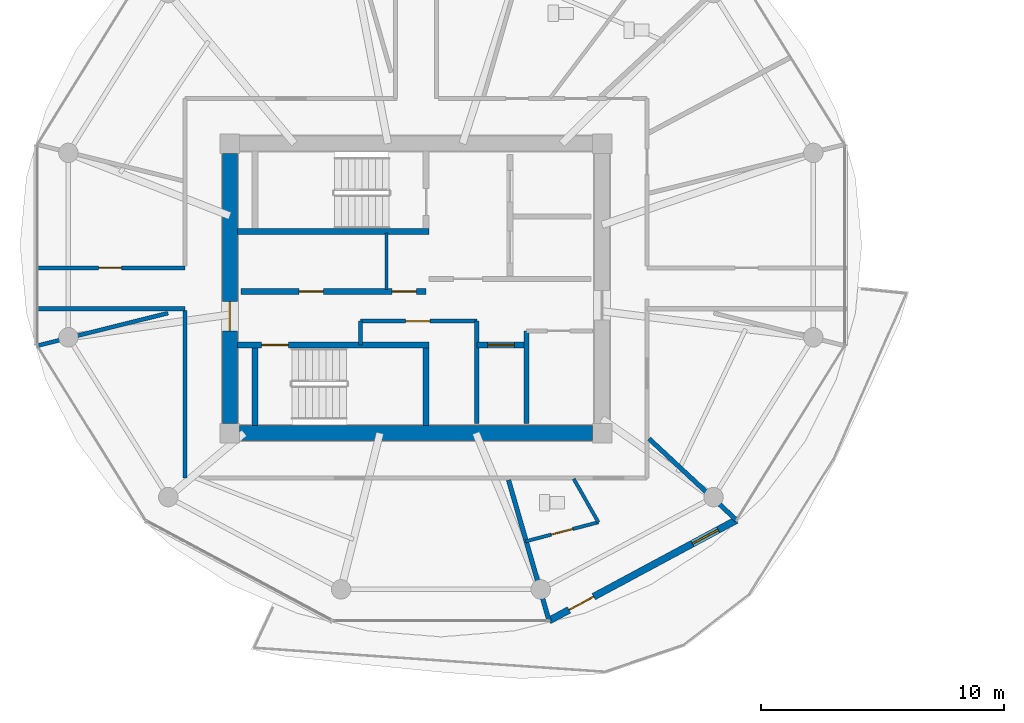
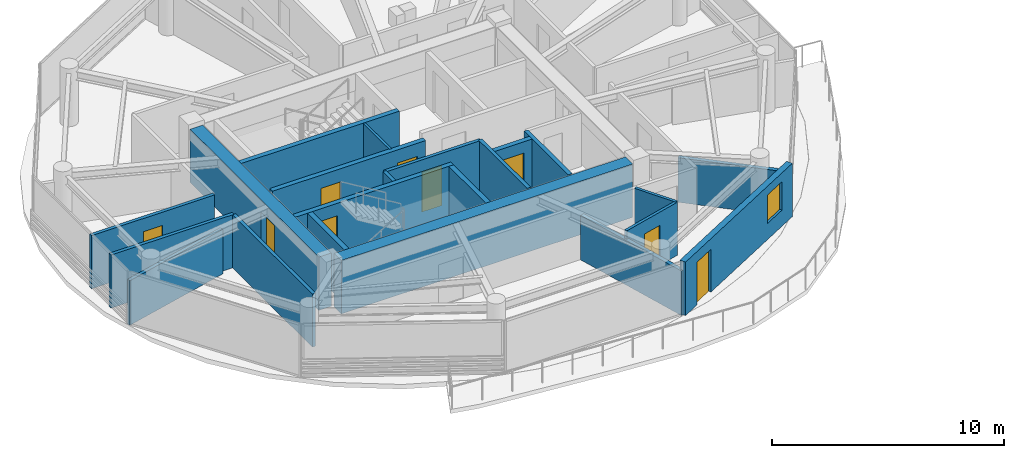
# One storey, part 12 of 23: 22 walls, 9 doors, 1 window, 10 openings.
"""IFC4 building model written with IfcOpenShell, lengths in metres."""

from ifc_helpers import new_model, si_unit, direction, frame, frame_2d, origin, place, context, subcontext, project, spatial, rectangle, extrude, source, transform, mapped, material, layer, layer_set, type_object, type_shapes, element, fill, save


model = new_model("IFC4")

# Units and contexts
model_context = context("Model", 3, precision=1e-05, world=origin(), true_north=direction((0.0, 1.0)))
body_context = subcontext(model_context, "Body", "Model", "MODEL_VIEW")
ifc_project = project(units=[si_unit("LENGTHUNIT", "METRE"), si_unit("AREAUNIT", "SQUARE_METRE"), si_unit("VOLUMEUNIT", "CUBIC_METRE"), si_unit("PLANEANGLEUNIT", "RADIAN"), si_unit("MASSUNIT", "GRAM", prefix="KILO")], contexts=[model_context])

# Site, building, storey
site_placement = place(None, origin())
site = spatial("IfcSite", under=ifc_project, at=site_placement, CompositionType="ELEMENT")
building_placement = place(site_placement, origin())
building = spatial("IfcBuilding", under=site, at=building_placement, Name="Norrkilde Senior Care Towers", CompositionType="ELEMENT")
storey_placement = place(building_placement, frame((0.0, 0.0, 177.0)))
storey = spatial("IfcBuildingStorey", under=building, at=storey_placement, Name="L55", CompositionType="ELEMENT", Elevation=177.0)

# Wall
ifc_material_1 = material(Name="Concrete C50/60", Category="concrete")
ifc_layer_1 = layer(ifc_material_1, 0.6201171875)
ifc_layer_set_1 = layer_set([ifc_layer_1], Name="Concrete C50/60")
wall_type_1 = type_object("IfcWallType", Name="Core Shear Wall Z3 620", PredefinedType="SHEAR", material=ifc_layer_set_1)
shared_shape_1 = source(origin(), body_context, "Body", "SweptSolid", [
    extrude(rectangle(XDim=14.5, YDim=0.6201171875, at=frame_2d((7.25, 0.0))), origin(), (0.0, 0.0, 1.0), 2.81005859375),
])
wall_1_placement = place(storey_placement, frame((-20.75, -5.949951171875, 0.0), z_axis=(0.0, 0.0, 1.0), x_axis=(-1.0, 0.0, 0.0)))
element("IfcWall", 1, at=wall_1_placement, inside=storey, type_object=wall_type_1, Name="L55 Core W South Shear Wall", PredefinedType="SHEAR", context=body_context, shape_type="MappedRepresentation", body=[
    mapped(shared_shape_1, transform((0.0, 0.0, 0.0), x_axis=(1.0, 0.0, 0.0), y_axis=(0.0, 1.0, 0.0), z_axis=(0.0, 0.0, 1.0), scale=1.0)),
])

# Wall, opening, door
shared_shape_2 = source(origin(), body_context, "Body", "SweptSolid", [
    extrude(rectangle(XDim=11.10009765625, YDim=0.6201171875, at=frame_2d((5.550048828125, 0.0))), origin(), (0.0, 0.0, 1.0), 2.81005859375),
])
type_shapes(wall_type_1, [shared_shape_1, shared_shape_2])
wall_2_placement = place(storey_placement, frame((-35.64990234375, -5.550048828125, 0.0), z_axis=(0.0, 0.0, 1.0), x_axis=(0.0, 1.0, 0.0)))
wall_2 = element("IfcWall", 2, at=wall_2_placement, inside=storey, type_object=wall_type_1, Name="L55 Core W West Shear Wall", PredefinedType="SHEAR", context=body_context, shape_type="MappedRepresentation", body=[
    mapped(shared_shape_2, transform((0.0, 0.0, 0.0), x_axis=(1.0, 0.0, 0.0), y_axis=(0.0, 1.0, 0.0), z_axis=(0.0, 0.0, 1.0), scale=1.0)),
])
opening_1_placement = place(wall_2_placement, frame((3.800048828125, 0.0, 0.0)))
opening_1 = element("IfcOpeningElement", 3, at=opening_1_placement, cuts=wall_2, Name="Opening D-04", PredefinedType="OPENING", context=body_context, shape_type="SweptSolid", body=[
    extrude(rectangle(XDim=1.199951171875, YDim=2.14990234375, at=frame_2d((0.60009765625, 1.074951171875))), frame((0.0, 0.320068359375, 0.0), z_axis=(0.0, -1.0, 0.0), x_axis=(1.0, 0.0, 0.0)), (0.0, 0.0, 1.0), 0.64013671875),
])
ifc_material_2 = material(Name="Galvanised Painted Steel", Category="steel")
door_type_1 = type_object("IfcDoorType", Name="Firefighting Lobby Fire Door 1200x2150", OperationType="NOTDEFINED", PredefinedType="DOOR", material=ifc_material_2)
shared_shape_3 = source(origin(), body_context, "Body", "SweptSolid", [
    extrude(rectangle(XDim=1.199951171875, YDim=2.14990234375, at=frame_2d((0.60009765625, 1.074951171875))), frame((0.0, 0.02490234375, 0.0), z_axis=(0.0, -1.0, 0.0), x_axis=(1.0, 0.0, 0.0)), (0.0, 0.0, 1.0), 0.050048828125),
])
type_shapes(door_type_1, [shared_shape_3])
door_1_placement = place(opening_1_placement, frame((1.199951171875, 0.0, 0.0), z_axis=(0.0, 0.0, 1.0), x_axis=(-1.0, 0.0, 0.0)))
door_1 = element("IfcDoor", 4, at=door_1_placement, inside=storey, type_object=door_type_1, Name="L55 Core W West Portal Door", OperationType="SINGLE_SWING_LEFT", OverallHeight=2.14990234375, OverallWidth=1.199951171875, PredefinedType="DOOR", context=body_context, shape_type="MappedRepresentation", body=[
    mapped(shared_shape_3, transform((0.0, 0.0, 0.0), x_axis=(1.0, 0.0, 0.0), y_axis=(0.0, 1.0, 0.0), z_axis=(0.0, 0.0, 1.0), scale=1.0)),
])
fill(opening_1, door_1)

# Wall, openings, door, window
ifc_material_3 = material(Name="Precast concrete C45/55", Category="concrete")
ifc_layer_2 = layer(ifc_material_3, 0.2900390625)
ifc_layer_set_2 = layer_set([ifc_layer_2], Name="Precast concrete C45/55")
wall_type_2 = type_object("IfcWallType", Name="Winter Garden Facade Wall 290", PredefinedType="SOLIDWALL", material=ifc_layer_set_2)
shared_shape_4 = source(origin(), body_context, "Body", "SweptSolid", [
    extrude(rectangle(XDim=8.741943359375, YDim=0.2900390625, at=frame_2d((4.37109375, 0.0))), origin(), (0.0, 0.0, 1.0), 2.81005859375),
])
type_shapes(wall_type_2, [shared_shape_4])
wall_3_placement = place(storey_placement, frame((-14.826904296875, -9.524169921875, 0.0), z_axis=(0.0, 0.0, 1.0), x_axis=(-0.880998740657, -0.473118609823, 0.0)))
wall_3 = element("IfcWall", 5, at=wall_3_placement, inside=storey, type_object=wall_type_2, Name="L55 Drum W Balcony Access Wall 09", PredefinedType="SOLIDWALL", context=body_context, shape_type="MappedRepresentation", body=[
    mapped(shared_shape_4, transform((0.0, 0.0, 0.0), x_axis=(1.0, 0.0, 0.0), y_axis=(0.0, 1.0, 0.0), z_axis=(0.0, 0.0, 1.0), scale=1.0)),
])
opening_2_placement = place(wall_3_placement, frame((6.659912109375, 0.0, 0.0)))
opening_2 = element("IfcOpeningElement", 6, at=opening_2_placement, cuts=wall_3, Name="Opening D-09", PredefinedType="OPENING", context=body_context, shape_type="SweptSolid", body=[
    extrude(rectangle(XDim=1.14990234375, YDim=2.25, at=frame_2d((0.574951171875, 1.125))), frame((0.0, 0.155029296875, 0.0), z_axis=(0.0, -1.0, 0.0), x_axis=(1.0, 0.0, 0.0)), (0.0, 0.0, 1.0), 0.31005859375),
])
opening_3_placement = place(wall_3_placement, frame((0.85009765625, 0.0, 0.85009765625)))
opening_3 = element("IfcOpeningElement", 7, at=opening_3_placement, cuts=wall_3, Name="Opening WN-07", PredefinedType="OPENING", context=body_context, shape_type="SweptSolid", body=[
    extrude(rectangle(XDim=1.199951171875, YDim=1.5, at=frame_2d((0.60009765625, 0.75))), frame((0.0, 0.155029296875, 0.0), z_axis=(0.0, -1.0, 0.0), x_axis=(1.0, 0.0, 0.0)), (0.0, 0.0, 1.0), 0.31005859375),
])
ifc_material_4 = material(Name="Anodised Aluminium", Category="aluminium")
door_type_2 = type_object("IfcDoorType", Name="Terrace and Balcony Glazed Door 1150x2250", OperationType="NOTDEFINED", PredefinedType="DOOR", material=ifc_material_4)
shared_shape_5 = source(origin(), body_context, "Body", "SweptSolid", [
    extrude(rectangle(XDim=1.14990234375, YDim=2.25, at=frame_2d((0.574951171875, 1.125))), frame((0.0, 0.02490234375, 0.0), z_axis=(0.0, -1.0, 0.0), x_axis=(1.0, 0.0, 0.0)), (0.0, 0.0, 1.0), 0.050048828125),
])
type_shapes(door_type_2, [shared_shape_5])
door_2_placement = place(opening_2_placement, origin())
door_2 = element("IfcDoor", 8, at=door_2_placement, inside=storey, type_object=door_type_2, Name="L55 Drum W Outdoor Terrace Door 09", OperationType="SINGLE_SWING_RIGHT", OverallHeight=2.25, OverallWidth=1.14990234375, PredefinedType="DOOR", context=body_context, shape_type="MappedRepresentation", body=[
    mapped(shared_shape_5, transform((0.0, 0.0, 0.0), x_axis=(1.0, 0.0, 0.0), y_axis=(0.0, 1.0, 0.0), z_axis=(0.0, 0.0, 1.0), scale=1.0)),
])
fill(opening_2, door_2)
ifc_material_5 = material(Name="Triple Low-E Insulated Glazing", Category="glass")
window_type = type_object("IfcWindowType", Name="Stairwell Smoke Vent Window 1200x1500", PartitioningType="SINGLE_PANEL", PredefinedType="WINDOW", material=ifc_material_5)
shared_shape_6 = source(origin(), body_context, "Body", "SweptSolid", [
    extrude(rectangle(XDim=1.199951171875, YDim=1.5, at=frame_2d((0.60009765625, 0.75))), frame((0.0, 0.030029296875, 0.0), z_axis=(0.0, -1.0, 0.0), x_axis=(1.0, 0.0, 0.0)), (0.0, 0.0, 1.0), 0.06005859375),
])
type_shapes(window_type, [shared_shape_6])
window_placement = place(opening_3_placement, origin())
window = element("IfcWindow", 9, at=window_placement, inside=storey, type_object=window_type, Name="L55 Drum W Winter Garden Window 09", OverallHeight=1.5, OverallWidth=1.199951171875, PartitioningType="SINGLE_PANEL", PredefinedType="WINDOW", context=body_context, shape_type="MappedRepresentation", body=[
    mapped(shared_shape_6, transform((0.0, 0.0, 0.0), x_axis=(1.0, 0.0, 0.0), y_axis=(0.0, 1.0, 0.0), z_axis=(0.0, 0.0, 1.0), scale=1.0)),
])
fill(opening_3, window)

# Wall
ifc_material_6 = material(Name="Concrete C45/55", Category="concrete")
ifc_layer_3 = layer(ifc_material_6, 0.239990234375)
ifc_layer_set_3 = layer_set([ifc_layer_3], Name="Concrete C45/55")
wall_type_3 = type_object("IfcWallType", Name="Shaft and Stair Enclosure Wall 240", PredefinedType="PARTITIONING", material=ifc_layer_set_3)
shared_shape_7 = source(origin(), body_context, "Body", "SweptSolid", [
    extrude(rectangle(XDim=7.880126953125, YDim=0.239990234375, at=frame_2d((3.93994140625, 0.0))), origin(), (0.0, 0.0, 1.0), 2.81005859375),
])
wall_4_placement = place(storey_placement, frame((-35.340087890625, 2.330078125, 0.0), z_axis=(0.0, 0.0, 1.0), x_axis=(1.0, 0.0, 0.0)))
element("IfcWall", 10, at=wall_4_placement, inside=storey, type_object=wall_type_3, Name="WL-INT-L55-W-ST1S", PredefinedType="PARTITIONING", context=body_context, shape_type="MappedRepresentation", body=[
    mapped(shared_shape_7, transform((0.0, 0.0, 0.0), x_axis=(1.0, 0.0, 0.0), y_axis=(0.0, 1.0, 0.0), z_axis=(0.0, 0.0, 1.0), scale=1.0)),
])

# Wall, opening, door
wall_5_placement = place(storey_placement, frame((-35.340087890625, -2.330078125, 0.0), z_axis=(0.0, 0.0, 1.0), x_axis=(1.0, 0.0, 0.0)))
wall_5 = element("IfcWall", 11, at=wall_5_placement, inside=storey, type_object=wall_type_3, Name="WL-INT-L55-W-ST2N", PredefinedType="PARTITIONING", context=body_context, shape_type="MappedRepresentation", body=[
    mapped(shared_shape_7, transform((0.0, 0.0, 0.0), x_axis=(1.0, 0.0, 0.0), y_axis=(0.0, 1.0, 0.0), z_axis=(0.0, 0.0, 1.0), scale=1.0)),
])
opening_4_placement = place(wall_5_placement, frame((1.0, 0.0, 0.0)))
opening_4 = element("IfcOpeningElement", 12, at=opening_4_placement, cuts=wall_5, Name="Opening D-03", PredefinedType="OPENING", context=body_context, shape_type="SweptSolid", body=[
    extrude(rectangle(XDim=1.10009765625, YDim=2.14990234375, at=frame_2d((0.550048828125, 1.074951171875))), frame((0.0, 0.1298828125, 0.0), z_axis=(0.0, -1.0, 0.0), x_axis=(1.0, 0.0, 0.0)), (0.0, 0.0, 1.0), 0.260009765625),
])
door_type_3 = type_object("IfcDoorType", Name="Stairwell Protected Fire Door 1100x2150", OperationType="NOTDEFINED", PredefinedType="DOOR", material=ifc_material_2)
shared_shape_8 = source(origin(), body_context, "Body", "SweptSolid", [
    extrude(rectangle(XDim=1.10009765625, YDim=2.14990234375, at=frame_2d((0.550048828125, 1.074951171875))), frame((0.0, 0.02490234375, 0.0), z_axis=(0.0, -1.0, 0.0), x_axis=(1.0, 0.0, 0.0)), (0.0, 0.0, 1.0), 0.050048828125),
])
type_shapes(door_type_3, [shared_shape_8])
door_3_placement = place(opening_4_placement, frame((1.10009765625, 0.0, 0.0), z_axis=(0.0, 0.0, 1.0), x_axis=(-1.0, 0.0, 0.0)))
door_3 = element("IfcDoor", 13, at=door_3_placement, inside=storey, type_object=door_type_3, Name="L55 Stair W2 Fire Door", OperationType="SINGLE_SWING_RIGHT", OverallHeight=2.14990234375, OverallWidth=1.10009765625, PredefinedType="DOOR", context=body_context, shape_type="MappedRepresentation", body=[
    mapped(shared_shape_8, transform((0.0, 0.0, 0.0), x_axis=(1.0, 0.0, 0.0), y_axis=(0.0, 1.0, 0.0), z_axis=(0.0, 0.0, 1.0), scale=1.0)),
])
fill(opening_4, door_3)

# Walls
shared_shape_9 = source(origin(), body_context, "Body", "SweptSolid", [
    extrude(rectangle(XDim=3.18994140625, YDim=0.239990234375, at=frame_2d((1.594970703125, 0.0))), origin(), (0.0, 0.0, 1.0), 2.81005859375),
])
type_shapes(wall_type_3, [shared_shape_7, shared_shape_9])
for number, where, z_axis, x_axis, name in (
    (14, (-34.6201171875, -5.639892578125, 0.0), (0.0, 0.0, 1.0), (0.0, 1.0, 0.0), "WL-INT-L55-W-ST2W"),
    (15, (-27.580078125, -5.639892578125, 0.0), (0.0, 0.0, 1.0), (0.0, 1.0, 0.0), "WL-INT-L55-W-ST2E"),
):
    element("IfcWall", number, at=place(storey_placement, frame(where, z_axis=z_axis, x_axis=x_axis)), inside=storey, type_object=wall_type_3, Name=name, PredefinedType="PARTITIONING", context=body_context, shape_type="MappedRepresentation", body=[
        mapped(shared_shape_9, transform((0.0, 0.0, 0.0), x_axis=(1.0, 0.0, 0.0), y_axis=(0.0, 1.0, 0.0), z_axis=(0.0, 0.0, 1.0), scale=1.0)),
    ])

# Wall, openings, doors
ifc_layer_4 = layer(ifc_material_6, 0.239990234375)
ifc_layer_set_4 = layer_set([ifc_layer_4], Name="Concrete C45/55")
wall_type_4 = type_object("IfcWallType", Name="Lift and Plant Rated Enclosure Partition 240", PredefinedType="PARTITIONING", material=ifc_layer_set_4)
shared_shape_10 = source(origin(), body_context, "Body", "SweptSolid", [
    extrude(rectangle(XDim=7.619873046875, YDim=0.239990234375, at=frame_2d((3.81005859375, 0.0))), origin(), (0.0, 0.0, 1.0), 2.794921875),
])
wall_6_placement = place(storey_placement, frame((-35.199951171875, -0.1298828125, 0.0), z_axis=(0.0, 0.0, 1.0), x_axis=(1.0, 0.0, 0.0)))
wall_6 = element("IfcWall", 16, at=wall_6_placement, inside=storey, type_object=wall_type_4, Name="WL-INT-L55-W-PKAS", PredefinedType="PARTITIONING", context=body_context, shape_type="MappedRepresentation", body=[
    mapped(shared_shape_10, transform((0.0, 0.0, 0.0), x_axis=(1.0, 0.0, 0.0), y_axis=(0.0, 1.0, 0.0), z_axis=(0.0, 0.0, 1.0), scale=1.0)),
])
opening_5_placement = place(wall_6_placement, frame((6.219970703125, 0.0, 0.0)))
opening_5 = element("IfcOpeningElement", 17, at=opening_5_placement, cuts=wall_6, Name="Opening D-10", PredefinedType="OPENING", context=body_context, shape_type="SweptSolid", body=[
    extrude(rectangle(XDim=1.0, YDim=2.10009765625, at=frame_2d((0.5, 1.050048828125))), frame((0.0, 0.1298828125, 0.0), z_axis=(0.0, -1.0, 0.0), x_axis=(1.0, 0.0, 0.0)), (0.0, 0.0, 1.0), 0.260009765625),
])
opening_6_placement = place(wall_6_placement, frame((2.39990234375, 0.0, 0.0)))
opening_6 = element("IfcOpeningElement", 18, at=opening_6_placement, cuts=wall_6, Name="Opening D-10", PredefinedType="OPENING", context=body_context, shape_type="SweptSolid", body=[
    extrude(rectangle(XDim=1.0, YDim=2.10009765625, at=frame_2d((0.5, 1.050048828125))), frame((0.0, 0.1298828125, 0.0), z_axis=(0.0, -1.0, 0.0), x_axis=(1.0, 0.0, 0.0)), (0.0, 0.0, 1.0), 0.260009765625),
])
door_type_4 = type_object("IfcDoorType", Name="Plant and Riser Rated Door 1000x2100", OperationType="NOTDEFINED", PredefinedType="DOOR", material=ifc_material_2)
shared_shape_11 = source(origin(), body_context, "Body", "SweptSolid", [
    extrude(rectangle(XDim=1.0, YDim=2.10009765625, at=frame_2d((0.5, 1.050048828125))), frame((0.0, 0.02490234375, 0.0), z_axis=(0.0, -1.0, 0.0), x_axis=(1.0, 0.0, 0.0)), (0.0, 0.0, 1.0), 0.050048828125),
])
type_shapes(door_type_4, [shared_shape_11])
door_4_placement = place(opening_5_placement, frame((1.0, 0.0, 0.0), z_axis=(0.0, 0.0, 1.0), x_axis=(-1.0, 0.0, 0.0)))
door_4 = element("IfcDoor", 19, at=door_4_placement, inside=storey, type_object=door_type_4, Name="L55 Electrical Riser W Door", OperationType="SINGLE_SWING_LEFT", OverallHeight=2.10009765625, OverallWidth=1.0, PredefinedType="DOOR", context=body_context, shape_type="MappedRepresentation", body=[
    mapped(shared_shape_11, transform((0.0, 0.0, 0.0), x_axis=(1.0, 0.0, 0.0), y_axis=(0.0, 1.0, 0.0), z_axis=(0.0, 0.0, 1.0), scale=1.0)),
])
fill(opening_5, door_4)
door_5_placement = place(opening_6_placement, frame((1.0, 0.0, 0.0), z_axis=(0.0, 0.0, 1.0), x_axis=(-1.0, 0.0, 0.0)))
door_5 = element("IfcDoor", 20, at=door_5_placement, inside=storey, type_object=door_type_4, Name="L55 Clean Supply Store W Door", OperationType="SINGLE_SWING_LEFT", OverallHeight=2.10009765625, OverallWidth=1.0, PredefinedType="DOOR", context=body_context, shape_type="MappedRepresentation", body=[
    mapped(shared_shape_11, transform((0.0, 0.0, 0.0), x_axis=(1.0, 0.0, 0.0), y_axis=(0.0, 1.0, 0.0), z_axis=(0.0, 0.0, 1.0), scale=1.0)),
])
fill(opening_6, door_5)

# Walls
ifc_material_7 = material(Name="Gypsum Acoustic Board")
ifc_layer_5 = layer(ifc_material_7, 0.114990234375)
ifc_layer_set_5 = layer_set([ifc_layer_5], Name="Gypsum Acoustic Board")
wall_type_5 = type_object("IfcWallType", Name="Internal Room Partition 115", PredefinedType="PARTITIONING", material=ifc_layer_set_5)
shared_shape_12 = source(origin(), body_context, "Body", "SweptSolid", [
    extrude(rectangle(XDim=2.330078125, YDim=0.114990234375, at=frame_2d((1.1650390625, 0.0))), origin(), (0.0, 0.0, 1.0), 2.794921875),
])
type_shapes(wall_type_5, [shared_shape_12])
wall_7_placement = place(storey_placement, frame((-29.2099609375, -0.050048828125, 0.0), z_axis=(0.0, 0.0, 1.0), x_axis=(0.0, 1.0, 0.0)))
element("IfcWall", 21, at=wall_7_placement, inside=storey, type_object=wall_type_5, Name="WL-INT-L55-W-RISW", PredefinedType="PARTITIONING", context=body_context, shape_type="MappedRepresentation", body=[
    mapped(shared_shape_12, transform((0.0, 0.0, 0.0), x_axis=(1.0, 0.0, 0.0), y_axis=(0.0, 1.0, 0.0), z_axis=(0.0, 0.0, 1.0), scale=1.0)),
])
ifc_layer_6 = layer(ifc_material_6, 0.199951171875)
ifc_layer_set_6 = layer_set([ifc_layer_6], Name="Concrete C45/55")
wall_type_6 = type_object("IfcWallType", Name="Shaft Division and Plant Partition 200", PredefinedType="PARTITIONING", material=ifc_layer_set_6)
shared_shape_13 = source(origin(), body_context, "Body", "SweptSolid", [
    extrude(rectangle(XDim=3.800048828125, YDim=0.199951171875, at=frame_2d((1.89990234375, 0.0))), origin(), (0.0, 0.0, 1.0), 2.794921875),
])
type_shapes(wall_type_6, [shared_shape_13])
wall_8_placement = place(storey_placement, frame((-23.449951171875, -5.550048828125, 0.0), z_axis=(0.0, 0.0, 1.0), x_axis=(0.0, 1.0, 0.0)))
element("IfcWall", 22, at=wall_8_placement, inside=storey, type_object=wall_type_6, Name="WL-INT-L55-W-PKBE", PredefinedType="PARTITIONING", context=body_context, shape_type="MappedRepresentation", body=[
    mapped(shared_shape_13, transform((0.0, 0.0, 0.0), x_axis=(1.0, 0.0, 0.0), y_axis=(0.0, 1.0, 0.0), z_axis=(0.0, 0.0, 1.0), scale=1.0)),
])
ifc_layer_7 = layer(ifc_material_7, 0.18994140625)
ifc_layer_set_7 = layer_set([ifc_layer_7], Name="Gypsum Acoustic Board")
wall_type_7 = type_object("IfcWallType", Name="Unit Demising Acoustic Wall 190", PredefinedType="PARTITIONING", material=ifc_layer_set_7)
shared_shape_14 = source(origin(), body_context, "Body", "SweptSolid", [
    extrude(rectangle(XDim=4.926513671875, YDim=0.18994140625, at=frame_2d((2.46337890625, 0.0))), origin(), (0.0, 0.0, 1.0), 2.344970703125),
])
wall_9_placement = place(storey_placement, frame((-18.419921875, -6.182861328125, 0.0), z_axis=(0.0, 0.0, 1.0), x_axis=(0.732191335987, -0.681098999783, 0.0)))
element("IfcWall", 23, at=wall_9_placement, inside=storey, type_object=wall_type_7, Name="WL-INT-L55-W-DEM-10-0", PredefinedType="PARTITIONING", context=body_context, shape_type="MappedRepresentation", body=[
    mapped(shared_shape_14, transform((0.0, 0.0, 0.0), x_axis=(1.0, 0.0, 0.0), y_axis=(0.0, 1.0, 0.0), z_axis=(0.0, 0.0, 1.0), scale=1.0)),
])
ifc_layer_8 = layer(ifc_material_7, 0.1650390625)
ifc_layer_set_8 = layer_set([ifc_layer_8], Name="Gypsum Acoustic Board")
wall_type_8 = type_object("IfcWallType", Name="Corridor Rated Partition 165", PredefinedType="PARTITIONING", material=ifc_layer_set_8)
shared_shape_15 = source(origin(), body_context, "Body", "SweptSolid", [
    extrude(rectangle(XDim=5.564208984375, YDim=0.1650390625, at=frame_2d((2.7822265625, 0.0))), origin(), (0.0, 0.0, 1.0), 2.344970703125),
])
wall_10_placement = place(storey_placement, frame((-38.18994140625, -1.02001953125, 0.0), z_axis=(0.0, 0.0, 1.0), x_axis=(-0.97031260977, -0.241854169533, 0.0)))
element("IfcWall", 24, at=wall_10_placement, inside=storey, type_object=wall_type_8, Name="WL-INT-L55-W-DEM-06-0", PredefinedType="PARTITIONING", context=body_context, shape_type="MappedRepresentation", body=[
    mapped(shared_shape_15, transform((0.0, 0.0, 0.0), x_axis=(1.0, 0.0, 0.0), y_axis=(0.0, 1.0, 0.0), z_axis=(0.0, 0.0, 1.0), scale=1.0)),
])
shared_shape_16 = source(origin(), body_context, "Body", "SweptSolid", [
    extrude(rectangle(XDim=6.035400390625, YDim=0.18994140625, at=frame_2d((3.017578125, 0.0))), origin(), (0.0, 0.0, 1.0), 2.344970703125),
])
type_shapes(wall_type_7, [shared_shape_14, shared_shape_16])
wall_11_placement = place(storey_placement, frame((-24.19384765625, -7.8798828125, 0.0), z_axis=(0.0, 0.0, 1.0), x_axis=(0.276809454862, -0.960924828329, 0.0)))
element("IfcWall", 25, at=wall_11_placement, inside=storey, type_object=wall_type_7, Name="WL-INT-L55-W-DEM-09-0", PredefinedType="PARTITIONING", context=body_context, shape_type="MappedRepresentation", body=[
    mapped(shared_shape_16, transform((0.0, 0.0, 0.0), x_axis=(1.0, 0.0, 0.0), y_axis=(0.0, 1.0, 0.0), z_axis=(0.0, 0.0, 1.0), scale=1.0)),
])

# Wall, opening, door
shared_shape_17 = source(origin(), body_context, "Body", "SweptSolid", [
    extrude(rectangle(XDim=2.050048828125, YDim=0.239990234375, at=frame_2d((1.02490234375, 0.0))), origin(), (0.0, 0.0, 1.0), 2.794921875),
])
type_shapes(wall_type_4, [shared_shape_10, shared_shape_17])
wall_12_placement = place(storey_placement, frame((-25.5, -2.330078125, 0.0), z_axis=(0.0, 0.0, 1.0), x_axis=(1.0, 0.0, 0.0)))
wall_12 = element("IfcWall", 26, at=wall_12_placement, inside=storey, type_object=wall_type_4, Name="WL-INT-L55-W-PL4N", PredefinedType="PARTITIONING", context=body_context, shape_type="MappedRepresentation", body=[
    mapped(shared_shape_17, transform((0.0, 0.0, 0.0), x_axis=(1.0, 0.0, 0.0), y_axis=(0.0, 1.0, 0.0), z_axis=(0.0, 0.0, 1.0), scale=1.0)),
])
opening_7_placement = place(wall_12_placement, frame((0.449951171875, 0.0, 0.0)))
opening_7 = element("IfcOpeningElement", 27, at=opening_7_placement, cuts=wall_12, Name="Opening LD-01", PredefinedType="OPENING", context=body_context, shape_type="SweptSolid", body=[
    extrude(rectangle(XDim=1.10009765625, YDim=2.199951171875, at=frame_2d((0.550048828125, 1.10009765625))), frame((0.0, 0.1298828125, 0.0), z_axis=(0.0, -1.0, 0.0), x_axis=(1.0, 0.0, 0.0)), (0.0, 0.0, 1.0), 0.260009765625),
])
ifc_material_8 = material(Name="Stainless Steel", Category="steel")
door_type_5 = type_object("IfcDoorType", Name="Lift Landing Sliding Door 1100x2200", OperationType="NOTDEFINED", PredefinedType="DOOR", material=ifc_material_8)
shared_shape_18 = source(origin(), body_context, "Body", "SweptSolid", [
    extrude(rectangle(XDim=1.10009765625, YDim=2.199951171875, at=frame_2d((0.550048828125, 1.10009765625))), frame((0.0, 0.02490234375, 0.0), z_axis=(0.0, -1.0, 0.0), x_axis=(1.0, 0.0, 0.0)), (0.0, 0.0, 1.0), 0.050048828125),
])
type_shapes(door_type_5, [shared_shape_18])
door_6_placement = place(opening_7_placement, frame((1.10009765625, 0.0, 0.0), z_axis=(0.0, 0.0, 1.0), x_axis=(-1.0, 0.0, 0.0)))
door_6 = element("IfcDoor", 28, at=door_6_placement, inside=storey, type_object=door_type_5, Name="L55 Passenger Lift W4 Landing Door", OperationType="SLIDING_TO_RIGHT", OverallHeight=2.199951171875, OverallWidth=1.10009765625, PredefinedType="DOOR", context=body_context, shape_type="MappedRepresentation", body=[
    mapped(shared_shape_18, transform((0.0, 0.0, 0.0), x_axis=(1.0, 0.0, 0.0), y_axis=(0.0, 1.0, 0.0), z_axis=(0.0, 0.0, 1.0), scale=1.0)),
])
fill(opening_7, door_6)

# Wall
ifc_layer_9 = layer(ifc_material_6, 0.179931640625)
ifc_layer_set_9 = layer_set([ifc_layer_9], Name="Concrete C45/55")
wall_type_9 = type_object("IfcWallType", Name="Hoistway Division Rated Partition 180", PredefinedType="PARTITIONING", material=ifc_layer_set_9)
shared_shape_19 = source(origin(), body_context, "Body", "SweptSolid", [
    extrude(rectangle(XDim=4.199951171875, YDim=0.179931640625, at=frame_2d((2.10009765625, 0.0))), origin(), (0.0, 0.0, 1.0), 2.794921875),
])
type_shapes(wall_type_9, [shared_shape_19])
wall_13_placement = place(storey_placement, frame((-25.5, -5.550048828125, 0.0), z_axis=(0.0, 0.0, 1.0), x_axis=(0.0, 1.0, 0.0)))
element("IfcWall", 29, at=wall_13_placement, inside=storey, type_object=wall_type_9, Name="WL-INT-L55-W-PL4W", PredefinedType="PARTITIONING", context=body_context, shape_type="MappedRepresentation", body=[
    mapped(shared_shape_19, transform((0.0, 0.0, 0.0), x_axis=(1.0, 0.0, 0.0), y_axis=(0.0, 1.0, 0.0), z_axis=(0.0, 0.0, 1.0), scale=1.0)),
])

# Wall, opening, door
shared_shape_20 = source(origin(), body_context, "Body", "SweptSolid", [
    extrude(rectangle(XDim=4.77001953125, YDim=0.1650390625, at=frame_2d((2.385009765625, 0.0))), origin(), (0.0, 0.0, 1.0), 2.794921875),
])
wall_14_placement = place(storey_placement, frame((-30.27001953125, -1.35009765625, 0.0), z_axis=(0.0, 0.0, 1.0), x_axis=(1.0, 0.0, 0.0)))
wall_14 = element("IfcWall", 30, at=wall_14_placement, inside=storey, type_object=wall_type_8, Name="WL-INT-L55-W-FR2N", PredefinedType="PARTITIONING", context=body_context, shape_type="MappedRepresentation", body=[
    mapped(shared_shape_20, transform((0.0, 0.0, 0.0), x_axis=(1.0, 0.0, 0.0), y_axis=(0.0, 1.0, 0.0), z_axis=(0.0, 0.0, 1.0), scale=1.0)),
])
opening_8_placement = place(wall_14_placement, frame((1.85009765625, 0.0, 0.0)))
opening_8 = element("IfcOpeningElement", 31, at=opening_8_placement, cuts=wall_14, Name="Opening D-10", PredefinedType="OPENING", context=body_context, shape_type="SweptSolid", body=[
    extrude(rectangle(XDim=1.0, YDim=2.10009765625, at=frame_2d((0.5, 1.050048828125))), frame((0.0, 0.092529296875, 0.0), z_axis=(0.0, -1.0, 0.0), x_axis=(1.0, 0.0, 0.0)), (0.0, 0.0, 1.0), 0.18505859375),
])
door_7_placement = place(opening_8_placement, origin())
door_7 = element("IfcDoor", 32, at=door_7_placement, inside=storey, type_object=door_type_4, Name="L55 Core Pantry W Door", OperationType="SINGLE_SWING_RIGHT", OverallHeight=2.10009765625, OverallWidth=1.0, PredefinedType="DOOR", context=body_context, shape_type="MappedRepresentation", body=[
    mapped(shared_shape_11, transform((0.0, 0.0, 0.0), x_axis=(1.0, 0.0, 0.0), y_axis=(0.0, 1.0, 0.0), z_axis=(0.0, 0.0, 1.0), scale=1.0)),
])
fill(opening_8, door_7)

# Walls
shared_shape_21 = source(origin(), body_context, "Body", "SweptSolid", [
    extrude(rectangle(XDim=0.97998046875, YDim=0.1650390625, at=frame_2d((0.489990234375, 0.0))), origin(), (0.0, 0.0, 1.0), 2.794921875),
])
wall_15_placement = place(storey_placement, frame((-30.27001953125, -2.330078125, 0.0), z_axis=(0.0, 0.0, 1.0), x_axis=(0.0, 1.0, 0.0)))
element("IfcWall", 33, at=wall_15_placement, inside=storey, type_object=wall_type_8, Name="WL-INT-L55-W-FR2W", PredefinedType="PARTITIONING", context=body_context, shape_type="MappedRepresentation", body=[
    mapped(shared_shape_21, transform((0.0, 0.0, 0.0), x_axis=(1.0, 0.0, 0.0), y_axis=(0.0, 1.0, 0.0), z_axis=(0.0, 0.0, 1.0), scale=1.0)),
])
shared_shape_22 = source(origin(), body_context, "Body", "SweptSolid", [
    extrude(rectangle(XDim=6.880126953125, YDim=0.1650390625, at=frame_2d((3.43994140625, 0.0))), origin(), (0.0, 0.0, 1.0), 2.794921875),
])
wall_16_placement = place(storey_placement, frame((-37.5, -7.800048828125, 0.0), z_axis=(0.0, 0.0, 1.0), x_axis=(0.0, 1.0, 0.0)))
element("IfcWall", 34, at=wall_16_placement, inside=storey, type_object=wall_type_8, Name="WL-INT-L55-W-CRW-W-0", PredefinedType="PARTITIONING", context=body_context, shape_type="MappedRepresentation", body=[
    mapped(shared_shape_22, transform((0.0, 0.0, 0.0), x_axis=(1.0, 0.0, 0.0), y_axis=(0.0, 1.0, 0.0), z_axis=(0.0, 0.0, 1.0), scale=1.0)),
])

# Wall, opening, door
shared_shape_23 = source(origin(), body_context, "Body", "SweptSolid", [
    extrude(rectangle(XDim=6.138916015625, YDim=0.1650390625, at=frame_2d((3.0693359375, 0.0))), origin(), (0.0, 0.0, 1.0), 2.794921875),
])
type_shapes(wall_type_8, [shared_shape_15, shared_shape_20, shared_shape_21, shared_shape_22, shared_shape_23])
wall_17_placement = place(storey_placement, frame((-43.638916015625, 0.840087890625, 0.0), z_axis=(0.0, 0.0, 1.0), x_axis=(1.0, 0.0, 0.0)))
wall_17 = element("IfcWall", 35, at=wall_17_placement, inside=storey, type_object=wall_type_8, Name="WL-INT-L55-W-SPK-W1-0", PredefinedType="PARTITIONING", context=body_context, shape_type="MappedRepresentation", body=[
    mapped(shared_shape_23, transform((0.0, 0.0, 0.0), x_axis=(1.0, 0.0, 0.0), y_axis=(0.0, 1.0, 0.0), z_axis=(0.0, 0.0, 1.0), scale=1.0)),
])
opening_9_placement = place(wall_17_placement, frame((2.594482421875, 0.0, 0.0)))
opening_9 = element("IfcOpeningElement", 36, at=opening_9_placement, cuts=wall_17, Name="Opening D-07", PredefinedType="OPENING", context=body_context, shape_type="SweptSolid", body=[
    extrude(rectangle(XDim=0.949951171875, YDim=2.10009765625, at=frame_2d((0.47509765625, 1.050048828125))), frame((0.0, 0.092529296875, 0.0), z_axis=(0.0, -1.0, 0.0), x_axis=(1.0, 0.0, 0.0)), (0.0, 0.0, 1.0), 0.18505859375),
])
ifc_material_9 = material(Name="Nordic Ash Timber", Category="wood")
door_type_6 = type_object("IfcDoorType", Name="Internal Suite Bedroom Door 950x2100", OperationType="NOTDEFINED", PredefinedType="DOOR", material=ifc_material_9)
shared_shape_24 = source(origin(), body_context, "Body", "SweptSolid", [
    extrude(rectangle(XDim=0.949951171875, YDim=2.10009765625, at=frame_2d((0.47509765625, 1.050048828125))), frame((0.0, 0.02490234375, 0.0), z_axis=(0.0, -1.0, 0.0), x_axis=(1.0, 0.0, 0.0)), (0.0, 0.0, 1.0), 0.050048828125),
])
type_shapes(door_type_6, [shared_shape_24])
door_8_placement = place(opening_9_placement, frame((0.949951171875, 0.0, 0.0), z_axis=(0.0, 0.0, 1.0), x_axis=(-1.0, 0.0, 0.0)))
door_8 = element("IfcDoor", 37, at=door_8_placement, inside=storey, type_object=door_type_6, Name="L55 Sun Reading Lounge 2 Door", OperationType="SINGLE_SWING_LEFT", OverallHeight=2.10009765625, OverallWidth=0.949951171875, PredefinedType="DOOR", context=body_context, shape_type="MappedRepresentation", body=[
    mapped(shared_shape_24, transform((0.0, 0.0, 0.0), x_axis=(1.0, 0.0, 0.0), y_axis=(0.0, 1.0, 0.0), z_axis=(0.0, 0.0, 1.0), scale=1.0)),
])
fill(opening_9, door_8)

# Walls
wall_18_placement = place(storey_placement, frame((-37.5, -0.840087890625, 0.0), z_axis=(0.0, 0.0, 1.0), x_axis=(-1.0, 0.0, 0.0)))
element("IfcWall", 38, at=wall_18_placement, inside=storey, type_object=wall_type_8, Name="WL-INT-L55-W-SPK-W2-0", PredefinedType="PARTITIONING", context=body_context, shape_type="MappedRepresentation", body=[
    mapped(shared_shape_23, transform((0.0, 0.0, 0.0), x_axis=(1.0, 0.0, 0.0), y_axis=(0.0, 1.0, 0.0), z_axis=(0.0, 0.0, 1.0), scale=1.0)),
])
ifc_layer_10 = layer(ifc_material_7, 0.139892578125)
ifc_layer_set_10 = layer_set([ifc_layer_10], Name="Gypsum Acoustic Board")
wall_type_10 = type_object("IfcWallType", Name="En-suite Wet Room Wall 140", PredefinedType="PARTITIONING", material=ifc_layer_set_10)
shared_shape_25 = source(origin(), body_context, "Body", "SweptSolid", [
    extrude(rectangle(XDim=2.0546875, YDim=0.139892578125, at=frame_2d((1.02734375, 0.0))), origin(), (0.0, 0.0, 1.0), 2.794921875),
])
wall_19_placement = place(storey_placement, frame((-21.516357421875, -7.830078125, 0.0), z_axis=(0.0, 0.0, 1.0), x_axis=(0.494154336367, -0.869374195528, 0.0)))
element("IfcWall", 39, at=wall_19_placement, inside=storey, type_object=wall_type_10, Name="WL-INT-L55-W-ES-09", PredefinedType="PARTITIONING", context=body_context, shape_type="MappedRepresentation", body=[
    mapped(shared_shape_25, transform((0.0, 0.0, 0.0), x_axis=(1.0, 0.0, 0.0), y_axis=(0.0, 1.0, 0.0), z_axis=(0.0, 0.0, 1.0), scale=1.0)),
])

# Wall, opening, door
shared_shape_26 = source(origin(), body_context, "Body", "SweptSolid", [
    extrude(rectangle(XDim=3.08837890625, YDim=0.139892578125, at=frame_2d((1.544189453125, 0.0))), origin(), (0.0, 0.0, 1.0), 2.794921875),
])
type_shapes(wall_type_10, [shared_shape_25, shared_shape_26])
wall_20_placement = place(storey_placement, frame((-20.5009765625, -9.616455078125, 0.0), z_axis=(0.0, 0.0, 1.0), x_axis=(-0.967224898254, -0.253921240146, 0.0)))
wall_20 = element("IfcWall", 40, at=wall_20_placement, inside=storey, type_object=wall_type_10, Name="WL-INT-L55-W-EF-09", PredefinedType="PARTITIONING", context=body_context, shape_type="MappedRepresentation", body=[
    mapped(shared_shape_26, transform((0.0, 0.0, 0.0), x_axis=(1.0, 0.0, 0.0), y_axis=(0.0, 1.0, 0.0), z_axis=(0.0, 0.0, 1.0), scale=1.0)),
])
opening_10_placement = place(wall_20_placement, frame((1.083984375, 0.0, 0.0)))
opening_10 = element("IfcOpeningElement", 41, at=opening_10_placement, cuts=wall_20, Name="Opening D-08", PredefinedType="OPENING", context=body_context, shape_type="SweptSolid", body=[
    extrude(rectangle(XDim=0.919921875, YDim=2.10009765625, at=frame_2d((0.4599609375, 1.050048828125))), frame((0.0, 0.079833984375, 0.0), z_axis=(0.0, -1.0, 0.0), x_axis=(1.0, 0.0, 0.0)), (0.0, 0.0, 1.0), 0.159912109375),
])
door_type_7 = type_object("IfcDoorType", Name="Accessible Wet Room Door 920x2100", OperationType="NOTDEFINED", PredefinedType="DOOR", material=ifc_material_9)
shared_shape_27 = source(origin(), body_context, "Body", "SweptSolid", [
    extrude(rectangle(XDim=0.919921875, YDim=2.10009765625, at=frame_2d((0.4599609375, 1.050048828125))), frame((0.0, 0.02490234375, 0.0), z_axis=(0.0, -1.0, 0.0), x_axis=(1.0, 0.0, 0.0)), (0.0, 0.0, 1.0), 0.050048828125),
])
type_shapes(door_type_7, [shared_shape_27])
door_9_placement = place(opening_10_placement, origin())
door_9 = element("IfcDoor", 42, at=door_9_placement, inside=storey, type_object=door_type_7, Name="L55 Care Suite 5509 Bathroom Door", OperationType="SINGLE_SWING_RIGHT", OverallHeight=2.10009765625, OverallWidth=0.919921875, PredefinedType="DOOR", context=body_context, shape_type="MappedRepresentation", body=[
    mapped(shared_shape_27, transform((0.0, 0.0, 0.0), x_axis=(1.0, 0.0, 0.0), y_axis=(0.0, 1.0, 0.0), z_axis=(0.0, 0.0, 1.0), scale=1.0)),
])
fill(opening_10, door_9)

save(model, "model.ifc")
